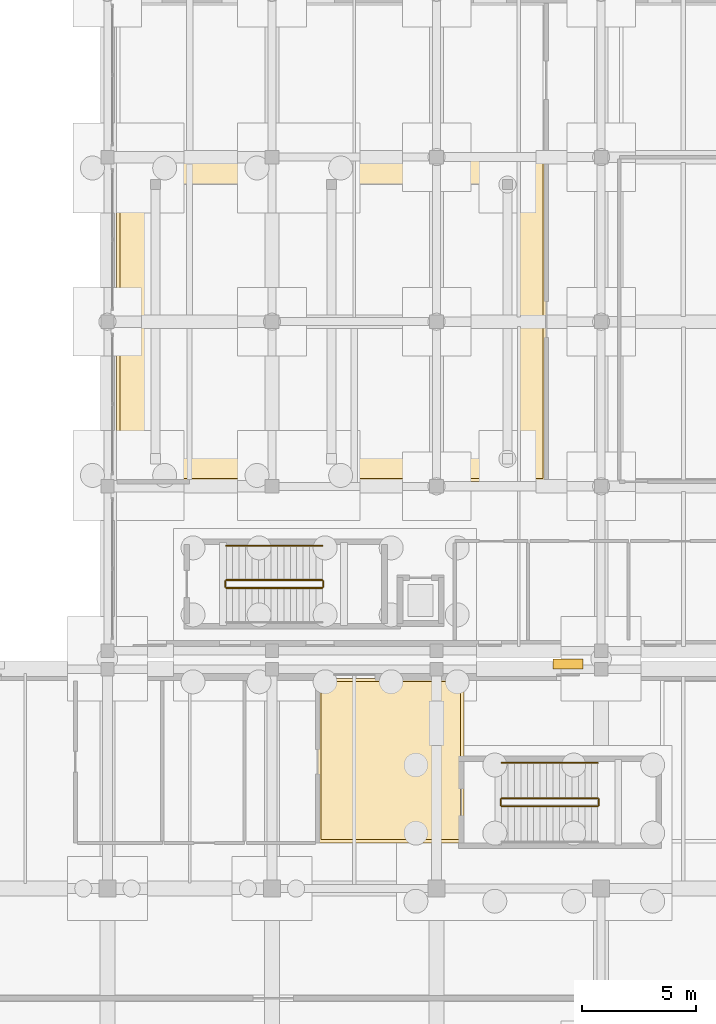
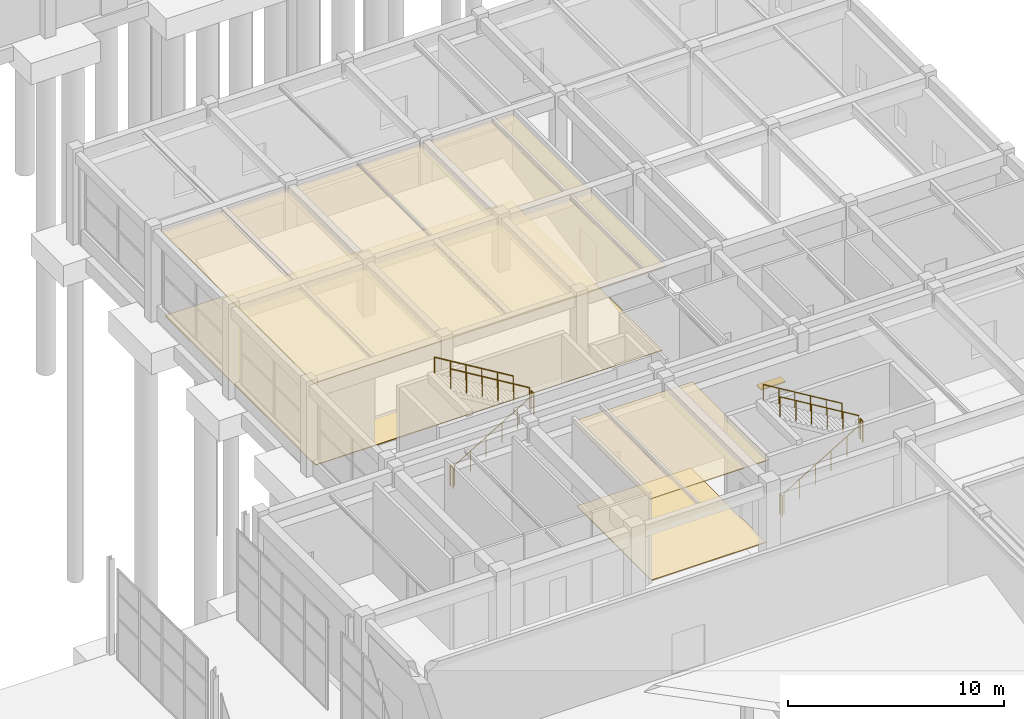
# One storey, part 87 of 91: 10 railings, 4 coverings, 1 shading device.
"""IFC4 building model written with IfcOpenShell, lengths in metres."""

from ifc_helpers import new_model, si_unit, direction, frame, origin, origin_2d, place, context, subcontext, project, spatial, polyline, rectangle, circle, outline, extrude, material, layer, layer_set, type_object, element, save


model = new_model("IFC4")

# Units and contexts
model_context = context("Model", 3, precision=1e-05, world=origin(), true_north=direction((0.0, 1.0)))
body_context = subcontext(model_context, "Body", "Model", "MODEL_VIEW")
ifc_project = project(units=[si_unit("LENGTHUNIT", "METRE"), si_unit("AREAUNIT", "SQUARE_METRE"), si_unit("VOLUMEUNIT", "CUBIC_METRE"), si_unit("PLANEANGLEUNIT", "RADIAN"), si_unit("MASSUNIT", "GRAM", prefix="KILO")], contexts=[model_context])

# Site, building, storey
site_placement = place(None, origin())
site = spatial("IfcSite", under=ifc_project, at=site_placement, CompositionType="ELEMENT")
building_placement = place(site_placement, origin())
building = spatial("IfcBuilding", under=site, at=building_placement, Name="Bramveld Media Centre", CompositionType="ELEMENT")
storey_placement = place(building_placement, origin())
storey = spatial("IfcBuildingStorey", under=building, at=storey_placement, Name="L00", CompositionType="ELEMENT", Elevation=0.0)

# Coverings
ifc_material_1 = material(Name="Perforated acoustic mineral-fibre & oak-slat suspended ceiling")
ifc_layer_1 = layer(ifc_material_1, 0.044921875)
ifc_layer_set_1 = layer_set([ifc_layer_1], Name="Perforated acoustic mineral-fibre & oak-slat suspended ceiling")
covering_type_1 = type_object("IfcCoveringType", Name="COV-CEIL-01", PredefinedType="CEILING", material=ifc_layer_set_1)
covering_1_placement = place(storey_placement, frame((0.0, 0.0, 4.72509765625)))
element("IfcCovering", 1, at=covering_1_placement, inside=storey, type_object=covering_type_1, Name="Stair ST-03 West Landing Lobby acoustic suspended ceiling", PredefinedType="CEILING", context=body_context, shape_type="SweptSolid", body=[
    extrude(outline(polyline([(140.39990234375, 30.800048828125), (146.800048828125, 30.800048828125), (146.800048828125, 38.0), (140.39990234375, 38.0), (140.39990234375, 30.800048828125)])), origin(), (0.0, 0.0, 1.0), 0.044921875),
])
ifc_material_2 = material(Name="Spring-isolated studio acoustic gypsum & mineral-wool ceiling")
ifc_layer_2 = layer(ifc_material_2, 0.06005859375)
ifc_layer_set_2 = layer_set([ifc_layer_2], Name="Spring-isolated studio acoustic gypsum & mineral-wool ceiling")
covering_type_2 = type_object("IfcCoveringType", Name="COV-CEIL-02", PredefinedType="CEILING", material=ifc_layer_set_2)
covering_2_placement = place(storey_placement, frame((0.0, 0.0, 4.75)))
element("IfcCovering", 2, at=covering_2_placement, inside=storey, type_object=covering_type_2, Name="Screen 7 Restoration Screening Cinema acoustic suspended ceiling", PredefinedType="CEILING", context=body_context, shape_type="SweptSolid", body=[
    extrude(outline(polyline([(131.60009765625, 46.60009765625), (150.39990234375, 46.60009765625), (150.39990234375, 60.800048828125), (131.60009765625, 60.800048828125), (131.60009765625, 46.60009765625)])), origin(), (0.0, 0.0, 1.0), 0.06005859375),
])
ifc_material_3 = material(Name="Honed Belgian bluestone (petit granit) public concourse flooring", Category="masonry")
ifc_layer_3 = layer(ifc_material_3, 0.050048828125)
ifc_layer_set_3 = layer_set([ifc_layer_3], Name="Honed Belgian bluestone (petit granit) public concourse flooring")
covering_type_3 = type_object("IfcCoveringType", Name="COV-FLOOR-02", PredefinedType="FLOORING", material=ifc_layer_set_3)
covering_3_placement = place(storey_placement, origin())
element("IfcCovering", 3, at=covering_3_placement, inside=storey, type_object=covering_type_3, Name="Stair ST-03 West Landing Lobby finish flooring", PredefinedType="FLOORING", context=body_context, shape_type="SweptSolid", body=[
    extrude(outline(polyline([(140.550048828125, 30.949951171875), (146.64990234375, 30.949951171875), (146.64990234375, 37.85009765625), (140.550048828125, 37.85009765625), (140.550048828125, 30.949951171875)])), origin(), (0.0, 0.0, 1.0), 0.050048828125),
])
ifc_material_4 = material(Name="Anti-static acoustic linoleum editing & vault flooring")
ifc_layer_4 = layer(ifc_material_4, 0.0400390625)
ifc_layer_set_4 = layer_set([ifc_layer_4], Name="Anti-static acoustic linoleum editing & vault flooring")
covering_type_4 = type_object("IfcCoveringType", Name="COV-FLOOR-03", PredefinedType="FLOORING", material=ifc_layer_set_4)
covering_4_placement = place(storey_placement, origin())
element("IfcCovering", 4, at=covering_4_placement, inside=storey, type_object=covering_type_4, Name="Screen 7 Restoration Screening Cinema finish flooring", PredefinedType="FLOORING", context=body_context, shape_type="SweptSolid", body=[
    extrude(outline(polyline([(131.75, 46.75), (150.25, 46.75), (150.25, 60.64990234375), (131.75, 60.64990234375), (131.75, 46.75)])), origin(), (0.0, 0.0, 1.0), 0.0400390625),
])

# Railings
ifc_material_5 = material(Name="Painted galvanized steel stairwell guardrail", Category="steel")
railing_type_1 = type_object("IfcRailingType", Name="RAIL-STAIR-GUARD-1150", PredefinedType="GUARDRAIL", material=ifc_material_5)
railing_1_placement = place(storey_placement, frame((148.449951171875, 32.39990234375, 0.168701171875)))
element("IfcRailing", 5, at=railing_1_placement, inside=storey, type_object=railing_type_1, Name="L00 ST-03 stair guard 1", PredefinedType="GUARDRAIL", context=body_context, shape_type="SweptSolid", body=[
    extrude(circle(Radius=0.02392578125, at=origin_2d()), frame((0.0, 0.0, 1.1259765625), z_axis=(0.856476492594, 0.0, 0.516186030065), x_axis=(0.0, 1.0, 0.0)), (0.0, 0.0, 1.0), 4.90380859375),
    extrude(circle(Radius=0.02099609375, at=origin_2d()), origin(), (0.0, 0.0, 1.0), 1.101806640625),
    extrude(circle(Radius=0.02099609375, at=origin_2d()), frame((0.840087890625, 0.0, 0.50634765625)), (0.0, 0.0, 1.0), 1.101806640625),
    extrude(circle(Radius=0.02099609375, at=origin_2d()), frame((1.679931640625, 0.0, 1.012451171875)), (0.0, 0.0, 1.0), 1.101806640625),
    extrude(circle(Radius=0.02099609375, at=origin_2d()), frame((2.52001953125, 0.0, 1.518798828125)), (0.0, 0.0, 1.0), 1.101806640625),
    extrude(circle(Radius=0.02099609375, at=origin_2d()), frame((3.35986328125, 0.0, 2.02490234375)), (0.0, 0.0, 1.0), 1.101806640625),
    extrude(circle(Radius=0.02099609375, at=origin_2d()), frame((4.199951171875, 0.0, 2.53125)), (0.0, 0.0, 1.0), 1.101806640625),
])
railing_2_placement = place(storey_placement, frame((152.699951171875, 32.449951171875, 2.699951171875)))
element("IfcRailing", 6, at=railing_2_placement, inside=storey, type_object=railing_type_1, Name="L00 ST-03 stair guard 2", PredefinedType="GUARDRAIL", context=body_context, shape_type="SweptSolid", body=[
    extrude(circle(Radius=0.02392578125, at=origin_2d()), frame((0.0, 0.0, 1.1259765625), z_axis=(0.0, 1.0, 0.0), x_axis=(-1.0, 0.0, 0.0)), (0.0, 0.0, 1.0), 0.25),
    extrude(circle(Radius=0.02099609375, at=origin_2d()), origin(), (0.0, 0.0, 1.0), 1.101806640625),
    extrude(circle(Radius=0.02099609375, at=origin_2d()), frame((0.0, 0.25, 0.0)), (0.0, 0.0, 1.0), 1.101806640625),
])
railing_3_placement = place(storey_placement, frame((152.64990234375, 32.75, 2.86865234375)))
element("IfcRailing", 7, at=railing_3_placement, inside=storey, type_object=railing_type_1, Name="L00 ST-03 stair guard 3", PredefinedType="GUARDRAIL", context=body_context, shape_type="SweptSolid", body=[
    extrude(circle(Radius=0.02392578125, at=origin_2d()), frame((0.0, 0.0, 1.1259765625), z_axis=(-0.856476492594, 0.0, 0.516186030065), x_axis=(0.0, -1.0, 0.0)), (0.0, 0.0, 1.0), 4.90380859375),
    extrude(circle(Radius=0.02099609375, at=origin_2d()), origin(), (0.0, 0.0, 1.0), 1.101806640625),
    extrude(circle(Radius=0.02099609375, at=origin_2d()), frame((-0.840087890625, 0.0, 0.50634765625)), (0.0, 0.0, 1.0), 1.101806640625),
    extrude(circle(Radius=0.02099609375, at=origin_2d()), frame((-1.679931640625, 0.0, 1.012451171875)), (0.0, 0.0, 1.0), 1.101806640625),
    extrude(circle(Radius=0.02099609375, at=origin_2d()), frame((-2.52001953125, 0.0, 1.518798828125)), (0.0, 0.0, 1.0), 1.101806640625),
    extrude(circle(Radius=0.02099609375, at=origin_2d()), frame((-3.35986328125, 0.0, 2.02490234375)), (0.0, 0.0, 1.0), 1.101806640625),
    extrude(circle(Radius=0.02099609375, at=origin_2d()), frame((-4.199951171875, 0.0, 2.53125)), (0.0, 0.0, 1.0), 1.101806640625),
])
railing_4_placement = place(storey_placement, frame((148.39990234375, 32.449951171875, 0.0)))
element("IfcRailing", 8, at=railing_4_placement, inside=storey, type_object=railing_type_1, Name="L00 ST-03 stair guard 4", PredefinedType="GUARDRAIL", context=body_context, shape_type="SweptSolid", body=[
    extrude(circle(Radius=0.02392578125, at=origin_2d()), frame((0.0, 0.0, 1.1259765625), z_axis=(0.0, 1.0, 0.0), x_axis=(-1.0, 0.0, 0.0)), (0.0, 0.0, 1.0), 0.25),
    extrude(circle(Radius=0.02099609375, at=origin_2d()), origin(), (0.0, 0.0, 1.0), 1.101806640625),
    extrude(circle(Radius=0.02099609375, at=origin_2d()), frame((0.0, 0.25, 0.0)), (0.0, 0.0, 1.0), 1.101806640625),
])
railing_5_placement = place(storey_placement, frame((136.39990234375, 41.949951171875, 0.168701171875)))
element("IfcRailing", 9, at=railing_5_placement, inside=storey, type_object=railing_type_1, Name="L00 ST-08 stair guard 1", PredefinedType="GUARDRAIL", context=body_context, shape_type="SweptSolid", body=[
    extrude(circle(Radius=0.02392578125, at=origin_2d()), frame((0.0, 0.0, 1.1259765625), z_axis=(0.856489757249, 0.0, 0.516164020179), x_axis=(0.0, 1.0, 0.0)), (0.0, 0.0, 1.0), 4.904052734375),
    extrude(circle(Radius=0.02099609375, at=origin_2d()), origin(), (0.0, 0.0, 1.0), 1.101806640625),
    extrude(circle(Radius=0.02099609375, at=origin_2d()), frame((0.840087890625, 0.0, 0.50634765625)), (0.0, 0.0, 1.0), 1.101806640625),
    extrude(circle(Radius=0.02099609375, at=origin_2d()), frame((1.68017578125, 0.0, 1.012451171875)), (0.0, 0.0, 1.0), 1.101806640625),
    extrude(circle(Radius=0.02099609375, at=origin_2d()), frame((2.52001953125, 0.0, 1.518798828125)), (0.0, 0.0, 1.0), 1.101806640625),
    extrude(circle(Radius=0.02099609375, at=origin_2d()), frame((3.360107421875, 0.0, 2.02490234375)), (0.0, 0.0, 1.0), 1.101806640625),
    extrude(circle(Radius=0.02099609375, at=origin_2d()), frame((4.2001953125, 0.0, 2.53125)), (0.0, 0.0, 1.0), 1.101806640625),
])
railing_6_placement = place(storey_placement, frame((140.64990234375, 42.0, 2.699951171875)))
element("IfcRailing", 10, at=railing_6_placement, inside=storey, type_object=railing_type_1, Name="L00 ST-08 stair guard 2", PredefinedType="GUARDRAIL", context=body_context, shape_type="SweptSolid", body=[
    extrude(circle(Radius=0.02392578125, at=origin_2d()), frame((0.0, 0.0, 1.1259765625), z_axis=(0.0, 1.0, 0.0), x_axis=(-1.0, 0.0, 0.0)), (0.0, 0.0, 1.0), 0.25),
    extrude(circle(Radius=0.02099609375, at=origin_2d()), origin(), (0.0, 0.0, 1.0), 1.101806640625),
    extrude(circle(Radius=0.02099609375, at=origin_2d()), frame((0.0, 0.25, 0.0)), (0.0, 0.0, 1.0), 1.101806640625),
])
railing_7_placement = place(storey_placement, frame((140.60009765625, 42.300048828125, 2.86865234375)))
element("IfcRailing", 11, at=railing_7_placement, inside=storey, type_object=railing_type_1, Name="L00 ST-08 stair guard 3", PredefinedType="GUARDRAIL", context=body_context, shape_type="SweptSolid", body=[
    extrude(circle(Radius=0.02392578125, at=origin_2d()), frame((0.0, 0.0, 1.1259765625), z_axis=(-0.856489757249, 0.0, 0.516164020179), x_axis=(0.0, -1.0, 0.0)), (0.0, 0.0, 1.0), 4.904052734375),
    extrude(circle(Radius=0.02099609375, at=origin_2d()), origin(), (0.0, 0.0, 1.0), 1.101806640625),
    extrude(circle(Radius=0.02099609375, at=origin_2d()), frame((-0.840087890625, 0.0, 0.50634765625)), (0.0, 0.0, 1.0), 1.101806640625),
    extrude(circle(Radius=0.02099609375, at=origin_2d()), frame((-1.68017578125, 0.0, 1.012451171875)), (0.0, 0.0, 1.0), 1.101806640625),
    extrude(circle(Radius=0.02099609375, at=origin_2d()), frame((-2.52001953125, 0.0, 1.518798828125)), (0.0, 0.0, 1.0), 1.101806640625),
    extrude(circle(Radius=0.02099609375, at=origin_2d()), frame((-3.360107421875, 0.0, 2.02490234375)), (0.0, 0.0, 1.0), 1.101806640625),
    extrude(circle(Radius=0.02099609375, at=origin_2d()), frame((-4.2001953125, 0.0, 2.53125)), (0.0, 0.0, 1.0), 1.101806640625),
])
railing_8_placement = place(storey_placement, frame((136.35009765625, 42.0, 0.0)))
element("IfcRailing", 12, at=railing_8_placement, inside=storey, type_object=railing_type_1, Name="L00 ST-08 stair guard 4", PredefinedType="GUARDRAIL", context=body_context, shape_type="SweptSolid", body=[
    extrude(circle(Radius=0.02392578125, at=origin_2d()), frame((0.0, 0.0, 1.1259765625), z_axis=(0.0, 1.0, 0.0), x_axis=(-1.0, 0.0, 0.0)), (0.0, 0.0, 1.0), 0.25),
    extrude(circle(Radius=0.02099609375, at=origin_2d()), origin(), (0.0, 0.0, 1.0), 1.101806640625),
    extrude(circle(Radius=0.02099609375, at=origin_2d()), frame((0.0, 0.25, 0.0)), (0.0, 0.0, 1.0), 1.101806640625),
])
ifc_material_6 = material(Name="Brushed stainless steel tubular stair handrail", Category="steel")
railing_type_2 = type_object("IfcRailingType", Name="RAIL-STAIR-HAND-0920", PredefinedType="HANDRAIL", material=ifc_material_6)
railing_9_placement = place(storey_placement, frame((152.64990234375, 34.300048828125, 2.86865234375)))
element("IfcRailing", 13, at=railing_9_placement, inside=storey, type_object=railing_type_2, Name="L00 ST-03 stair handrail 2", PredefinedType="HANDRAIL", context=body_context, shape_type="SweptSolid", body=[
    extrude(circle(Radius=0.02392578125, at=origin_2d()), frame((0.0, 0.0, 0.8759765625), z_axis=(-0.856476492594, 0.0, 0.516186030065), x_axis=(0.0, -1.0, 0.0)), (0.0, 0.0, 1.0), 4.90380859375),
    extrude(circle(Radius=0.02099609375, at=origin_2d()), origin(), (0.0, 0.0, 1.0), 0.851806640625),
    extrude(circle(Radius=0.02099609375, at=origin_2d()), frame((-0.840087890625, 0.0, 0.50634765625)), (0.0, 0.0, 1.0), 0.851806640625),
    extrude(circle(Radius=0.02099609375, at=origin_2d()), frame((-1.679931640625, 0.0, 1.012451171875)), (0.0, 0.0, 1.0), 0.851806640625),
    extrude(circle(Radius=0.02099609375, at=origin_2d()), frame((-2.52001953125, 0.0, 1.518798828125)), (0.0, 0.0, 1.0), 0.851806640625),
    extrude(circle(Radius=0.02099609375, at=origin_2d()), frame((-3.35986328125, 0.0, 2.02490234375)), (0.0, 0.0, 1.0), 0.851806640625),
    extrude(circle(Radius=0.02099609375, at=origin_2d()), frame((-4.199951171875, 0.0, 2.53125)), (0.0, 0.0, 1.0), 0.851806640625),
])
railing_10_placement = place(storey_placement, frame((140.60009765625, 43.800048828125, 2.86865234375)))
element("IfcRailing", 14, at=railing_10_placement, inside=storey, type_object=railing_type_2, Name="L00 ST-08 stair handrail 2", PredefinedType="HANDRAIL", context=body_context, shape_type="SweptSolid", body=[
    extrude(circle(Radius=0.02392578125, at=origin_2d()), frame((0.0, 0.0, 0.8759765625), z_axis=(-0.856489757249, 0.0, 0.516164020179), x_axis=(0.0, -1.0, 0.0)), (0.0, 0.0, 1.0), 4.904052734375),
    extrude(circle(Radius=0.02099609375, at=origin_2d()), origin(), (0.0, 0.0, 1.0), 0.851806640625),
    extrude(circle(Radius=0.02099609375, at=origin_2d()), frame((-0.840087890625, 0.0, 0.50634765625)), (0.0, 0.0, 1.0), 0.851806640625),
    extrude(circle(Radius=0.02099609375, at=origin_2d()), frame((-1.68017578125, 0.0, 1.012451171875)), (0.0, 0.0, 1.0), 0.851806640625),
    extrude(circle(Radius=0.02099609375, at=origin_2d()), frame((-2.52001953125, 0.0, 1.518798828125)), (0.0, 0.0, 1.0), 0.851806640625),
    extrude(circle(Radius=0.02099609375, at=origin_2d()), frame((-3.360107421875, 0.0, 2.02490234375)), (0.0, 0.0, 1.0), 0.851806640625),
    extrude(circle(Radius=0.02099609375, at=origin_2d()), frame((-4.2001953125, 0.0, 2.53125)), (0.0, 0.0, 1.0), 0.851806640625),
])

# Shading device
ifc_material_7 = material(Name="Anodized bronze extruded aluminium solar shading fin", Category="aluminium")
shading_device_type = type_object("IfcShadingDeviceType", Name="SHD-BRISE-450", PredefinedType="JALOUSIE", material=ifc_material_7)
shading_device_placement = place(storey_placement, frame((151.352783203125, 38.625, 2.659912109375), z_axis=(0.0, 0.0, 1.0), x_axis=(1.0, 0.0, 0.0)))
element("IfcShadingDevice", 15, at=shading_device_placement, inside=storey, type_object=shading_device_type, Name="Bronze solar shading fin 7", PredefinedType="JALOUSIE", context=body_context, shape_type="SweptSolid", body=[
    extrude(rectangle(XDim=1.300048828125, YDim=0.449951171875, at=origin_2d()), origin(), (0.0, 0.0, 1.0), 0.06005859375),
])

save(model, "model.ifc")
